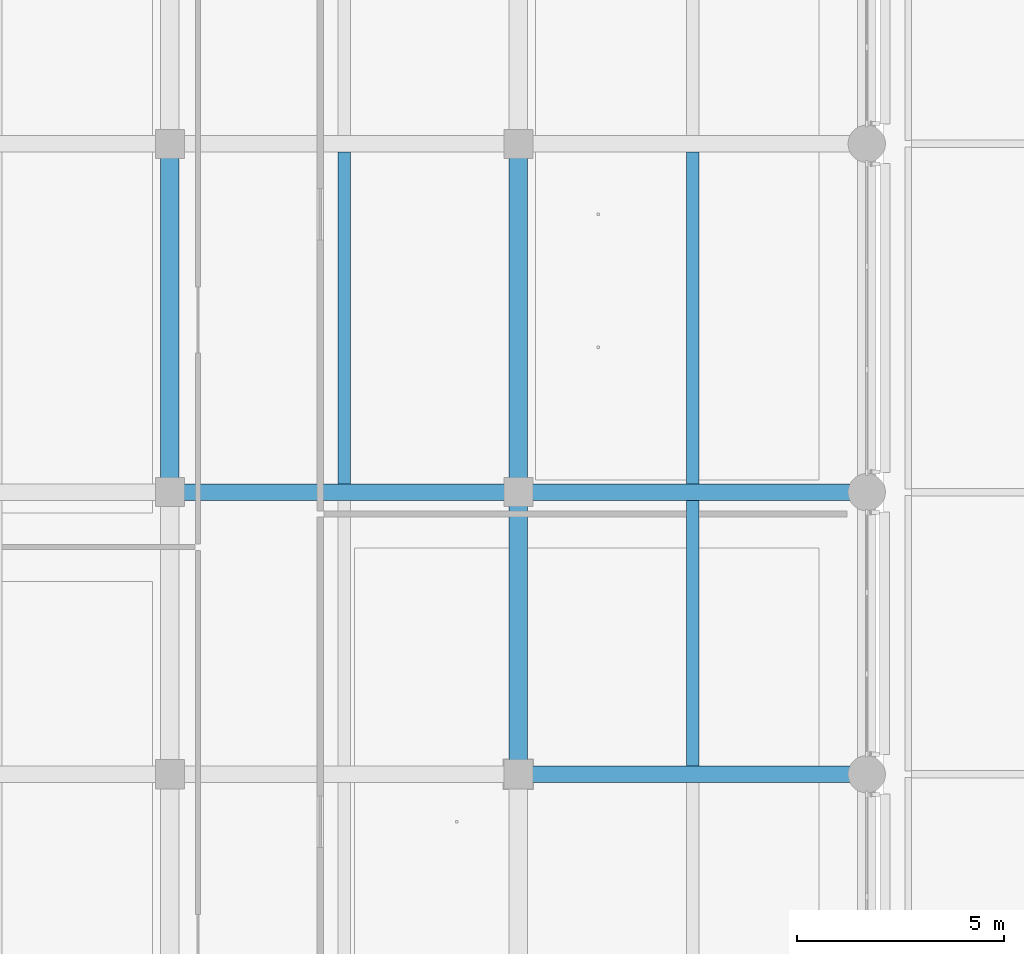
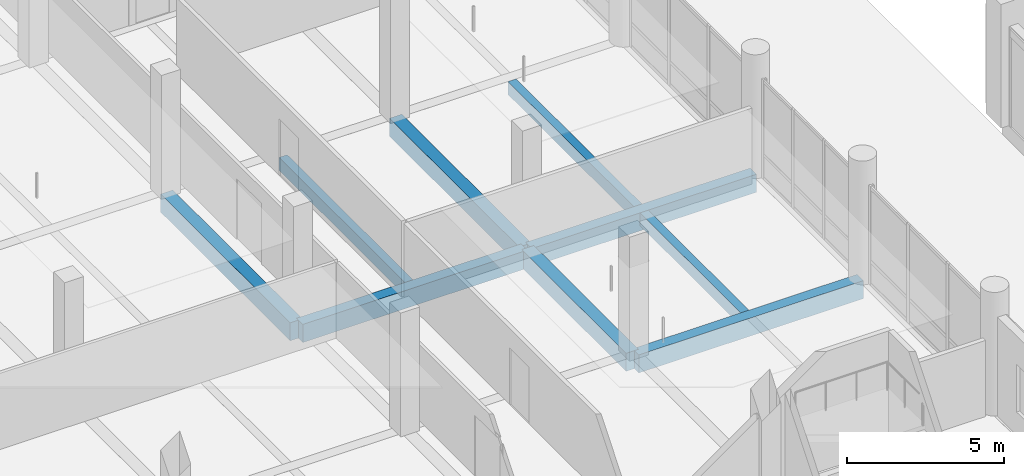
# One storey, part 13 of 128: 9 beams.
"""IFC4 building model written with IfcOpenShell, lengths in metres."""

from ifc_helpers import new_model, si_unit, direction, frame, origin, origin_2d, place, context, subcontext, project, spatial, rectangle, extrude, material, material_profile, profile_set, type_object, element, save


model = new_model("IFC4")

# Units and contexts
model_context = context("Model", 3, precision=1e-05, world=origin(), true_north=direction((0.0, 1.0)))
body_context = subcontext(model_context, "Body", "Model", "MODEL_VIEW")
ifc_project = project(units=[si_unit("LENGTHUNIT", "METRE"), si_unit("AREAUNIT", "SQUARE_METRE"), si_unit("VOLUMEUNIT", "CUBIC_METRE"), si_unit("PLANEANGLEUNIT", "RADIAN"), si_unit("MASSUNIT", "GRAM", prefix="KILO")], contexts=[model_context])

# Site, building, storey
site_placement = place(None, origin())
site = spatial("IfcSite", under=ifc_project, at=site_placement, CompositionType="ELEMENT")
building_placement = place(site_placement, origin())
building = spatial("IfcBuilding", under=site, at=building_placement, Name="Telukmera Botanical Conservatory", CompositionType="ELEMENT")
storey_placement = place(building_placement, frame((0.0, 0.0, 5.39990234375)))
storey = spatial("IfcBuildingStorey", under=building, at=storey_placement, Name="L01", CompositionType="ELEMENT", Elevation=5.39990234375)

# Beams
ifc_material = material(Name="Concrete C40/50", Category="concrete")
ifc_material_profile_1 = material_profile(ifc_material, rectangle(XDim=0.449951171875, YDim=0.699951171875, at=origin_2d()), Name="RC 450x700")
ifc_profile_set_1 = profile_set([ifc_material_profile_1], Name="Concrete C40/50")
beam_type_1 = type_object("IfcBeamType", Name="Beam_B15", PredefinedType="BEAM", material=ifc_profile_set_1)
beam_1_placement = place(storey_placement, frame((25.199951171875, 49.679931640625, -0.349853515625), z_axis=(0.0, 1.0, 0.0), x_axis=(-1.0, 0.0, 0.0)))
element("IfcBeam", 1, at=beam_1_placement, inside=storey, type_object=beam_type_1, Name="Visitor Wing Transverse Beam L01", PredefinedType="BEAM", context=body_context, shape_type="SweptSolid", body=[
    extrude(rectangle(XDim=0.449951171875, YDim=0.699951171875, at=origin_2d()), origin(), (0.0, 0.0, 1.0), 8.239990234375),
])
beam_2_placement = place(storey_placement, frame((33.60009765625, 42.8798828125, -0.349853515625), z_axis=(0.0, 1.0, 0.0), x_axis=(-1.0, 0.0, 0.0)))
element("IfcBeam", 2, at=beam_2_placement, inside=storey, type_object=beam_type_1, Name="Visitor Wing Transverse Beam L01", PredefinedType="BEAM", context=body_context, shape_type="SweptSolid", body=[
    extrude(rectangle(XDim=0.449951171875, YDim=0.699951171875, at=origin_2d()), origin(), (0.0, 0.0, 1.0), 6.64013671875),
])
beam_3_placement = place(storey_placement, frame((33.60009765625, 49.679931640625, -0.349853515625), z_axis=(0.0, 1.0, 0.0), x_axis=(-1.0, 0.0, 0.0)))
element("IfcBeam", 3, at=beam_3_placement, inside=storey, type_object=beam_type_1, Name="Visitor Wing Transverse Beam L01", PredefinedType="BEAM", context=body_context, shape_type="SweptSolid", body=[
    extrude(rectangle(XDim=0.449951171875, YDim=0.699951171875, at=origin_2d()), origin(), (0.0, 0.0, 1.0), 8.239990234375),
])
ifc_material_profile_2 = material_profile(ifc_material, rectangle(XDim=0.300048828125, YDim=0.5, at=origin_2d()), Name="RC 300x500")
ifc_profile_set_2 = profile_set([ifc_material_profile_2], Name="Concrete C40/50")
beam_type_2 = type_object("IfcBeamType", Name="Beam_B24", PredefinedType="JOIST", material=ifc_profile_set_2)
beam_4_placement = place(storey_placement, frame((29.39990234375, 49.800048828125, -0.25), z_axis=(0.0, 1.0, 0.0), x_axis=(-1.0, 0.0, 0.0)))
element("IfcBeam", 4, at=beam_4_placement, inside=storey, type_object=beam_type_2, Name="Visitor Wing Floor Joist L01", PredefinedType="JOIST", context=body_context, shape_type="SweptSolid", body=[
    extrude(rectangle(XDim=0.300048828125, YDim=0.5, at=origin_2d()), origin(), (0.0, 0.0, 1.0), 8.0),
])
beam_5_placement = place(storey_placement, frame((37.800048828125, 43.0, -0.25), z_axis=(0.0, 1.0, 0.0), x_axis=(-1.0, 0.0, 0.0)))
element("IfcBeam", 5, at=beam_5_placement, inside=storey, type_object=beam_type_2, Name="Visitor Wing Floor Joist L01", PredefinedType="JOIST", context=body_context, shape_type="SweptSolid", body=[
    extrude(rectangle(XDim=0.300048828125, YDim=0.5, at=origin_2d()), origin(), (0.0, 0.0, 1.0), 6.39990234375),
])
beam_6_placement = place(storey_placement, frame((37.800048828125, 49.800048828125, -0.25), z_axis=(0.0, 1.0, 0.0), x_axis=(-1.0, 0.0, 0.0)))
element("IfcBeam", 6, at=beam_6_placement, inside=storey, type_object=beam_type_2, Name="Visitor Wing Floor Joist L01", PredefinedType="JOIST", context=body_context, shape_type="SweptSolid", body=[
    extrude(rectangle(XDim=0.300048828125, YDim=0.5, at=origin_2d()), origin(), (0.0, 0.0, 1.0), 8.0),
])
ifc_material_profile_3 = material_profile(ifc_material, rectangle(XDim=0.39990234375, YDim=0.699951171875, at=origin_2d()), Name="RC 400x700")
ifc_profile_set_3 = profile_set([ifc_material_profile_3], Name="Concrete C40/50")
beam_type_3 = type_object("IfcBeamType", Name="Beam_B7", PredefinedType="BEAM", material=ifc_profile_set_3)
for number, where, z_axis, x_axis, name in (
    (7, (33.679931640625, 42.800048828125, -0.349853515625), (1.0, 0.0, 0.0), (0.0, 1.0, 0.0), "Visitor Wing Grid Beam L01"),
    (8, (25.280029296875, 49.60009765625, -0.349853515625), (1.0, 0.0, 0.0), (0.0, 1.0, 0.0), "Visitor Wing Grid Beam L01"),
    (9, (33.679931640625, 49.60009765625, -0.349853515625), (1.0, 0.0, 0.0), (0.0, 1.0, 0.0), "Visitor Wing Grid Beam L01"),
):
    element("IfcBeam", number, at=place(storey_placement, frame(where, z_axis=z_axis, x_axis=x_axis)), inside=storey, type_object=beam_type_3, Name=name, PredefinedType="BEAM", context=body_context, shape_type="SweptSolid", body=[
        extrude(rectangle(XDim=0.39990234375, YDim=0.699951171875, at=origin_2d()), origin(), (0.0, 0.0, 1.0), 8.239990234375),
    ])

save(model, "model.ifc")
